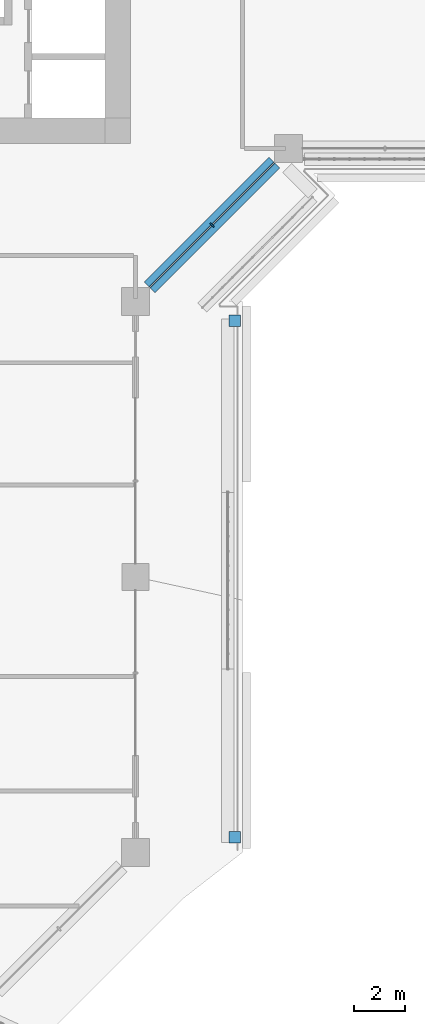
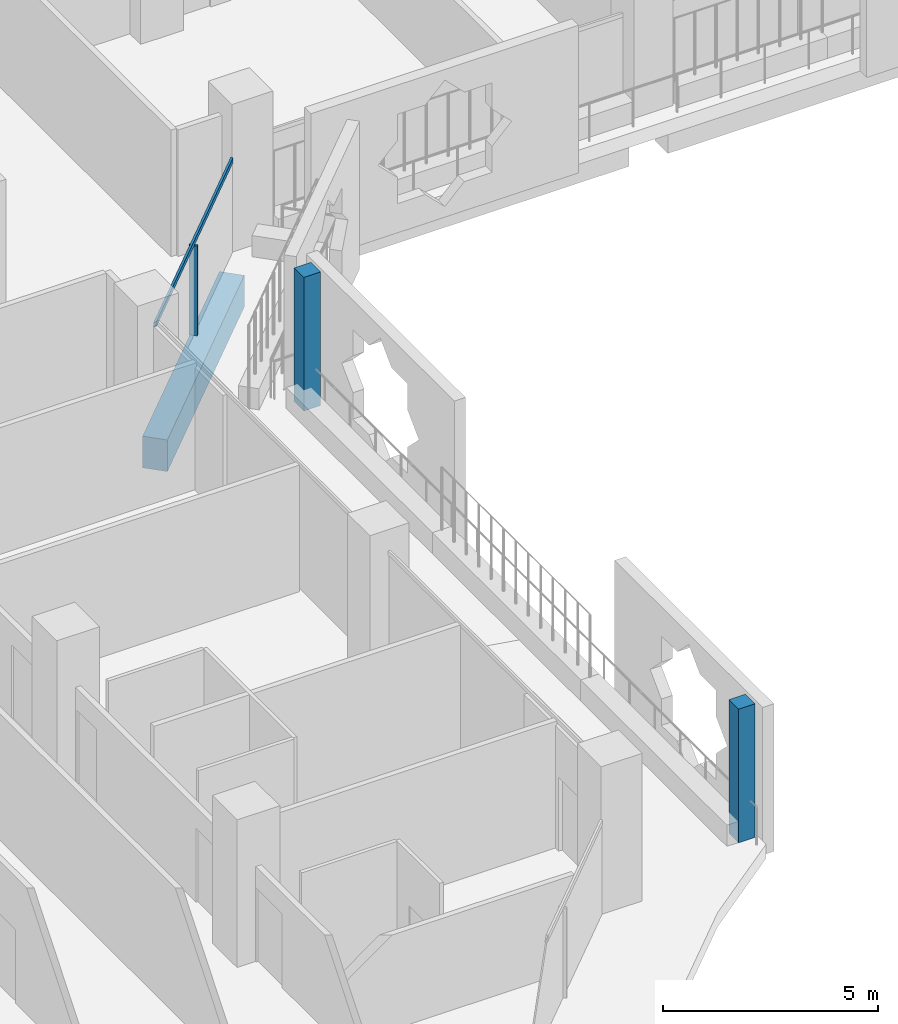
# One storey, part 4 of 25: 4 members, 1 beam, 2 elements without a shape of their own.
"""IFC4 building model written with IfcOpenShell, lengths in metres."""

from ifc_helpers import new_model, si_unit, direction, frame, origin, origin_2d, place, context, subcontext, project, spatial, rectangle, extrude, material, layer, layer_set, material_profile, profile_set, type_object, element, aggregate, save


model = new_model("IFC4")

# Units and contexts
model_context = context("Model", 3, precision=1e-05, world=origin(), true_north=direction((0.0, 1.0)))
body_context = subcontext(model_context, "Body", "Model", "MODEL_VIEW")
ifc_project = project(units=[si_unit("LENGTHUNIT", "METRE"), si_unit("AREAUNIT", "SQUARE_METRE"), si_unit("VOLUMEUNIT", "CUBIC_METRE"), si_unit("PLANEANGLEUNIT", "RADIAN"), si_unit("MASSUNIT", "GRAM", prefix="KILO")], contexts=[model_context])

# Site, building, storey
site_placement = place(None, origin())
site = spatial("IfcSite", under=ifc_project, at=site_placement, CompositionType="ELEMENT")
building_placement = place(site_placement, origin())
building = spatial("IfcBuilding", under=site, at=building_placement, Name="Kawkab Arch Medical Tower", CompositionType="ELEMENT")
storey_placement = place(building_placement, frame((0.0, 0.0, 145.0)))
storey = spatial("IfcBuildingStorey", under=building, at=storey_placement, Name="L33", CompositionType="ELEMENT", Elevation=145.0)

# Curtain wall, members
ifc_material_1 = material(Name="Bronze anodised aluminium curtain wall frame", Category="aluminium")
ifc_layer_1 = layer(ifc_material_1, 0.159912109375)
ifc_layer_set_1 = layer_set([ifc_layer_1], Name="Bronze anodised aluminium curtain wall frame")
curtain_wall_type_1 = type_object("IfcCurtainWallType", Name="CW2 chamfer curtain wall", PredefinedType="NOTDEFINED", material=ifc_layer_set_1)
placement = place(storey_placement, origin())
curtain_wall_1 = element("IfcCurtainWall", 1, at=placement, inside=storey, type_object=curtain_wall_type_1, Name="CW2 Chamfer curtain wall R06", PredefinedType="NOTDEFINED")
ifc_material_2 = material(Name="Bronze anodised aluminium curtain wall frame", Category="aluminium")
ifc_material_profile_1 = material_profile(ifc_material_2, rectangle(XDim=0.199951171875, YDim=0.06005859375, at=origin_2d()), Name="AL 60x200")
ifc_profile_set_1 = profile_set([ifc_material_profile_1], Name="Bronze anodised aluminium curtain wall frame")
member_type_1 = type_object("IfcMemberType", Name="CW2 mullion 60 x 200", PredefinedType="MULLION", material=ifc_profile_set_1)
member_1_placement = place(storey_placement, frame((28.199951171875, -28.199951171875, 0.0), z_axis=(0.0, 0.0, 1.0), x_axis=(-0.707106781187, 0.707106781187, 0.0)))
member_1 = element("IfcMember", 2, at=member_1_placement, type_object=member_type_1, Name="CW2 mullion 1.1", PredefinedType="MULLION", context=body_context, shape_type="SweptSolid", body=[
    extrude(rectangle(XDim=0.199951171875, YDim=0.06005859375, at=origin_2d()), origin(), (0.0, 0.0, 1.0), 2.56005859375),
])
ifc_material_3 = material(Name="Bronze anodised aluminium curtain wall frame", Category="aluminium")
ifc_material_profile_2 = material_profile(ifc_material_3, rectangle(XDim=0.06005859375, YDim=0.139892578125, at=origin_2d()), Name="AL 60x140")
ifc_profile_set_2 = profile_set([ifc_material_profile_2], Name="Bronze anodised aluminium curtain wall frame")
member_type_2 = type_object("IfcMemberType", Name="CW2 transom 140 x 60", PredefinedType="USERDEFINED", material=ifc_profile_set_2)
member_2_placement = place(storey_placement, frame((25.75, -30.64990234375, 2.6298828125), z_axis=(0.707106781187, 0.707106781187, 0.0), x_axis=(-0.707106781187, 0.707106781187, 0.0)))
member_2 = element("IfcMember", 3, at=member_2_placement, type_object=member_type_2, Name="CW2 transom 1", ObjectType="TRANSOM", PredefinedType="USERDEFINED", context=body_context, shape_type="SweptSolid", body=[
    extrude(rectangle(XDim=0.06005859375, YDim=0.139892578125, at=origin_2d()), origin(), (0.0, 0.0, 1.0), 6.929443359375),
])
aggregate(curtain_wall_1, [member_2, member_1])

ifc_material_4 = material(Name="Bronze anodised aluminium climber frame, planted", Category="aluminium")
ifc_layer_2 = layer(ifc_material_4, 0.449951171875)
ifc_layer_set_2 = layer_set([ifc_layer_2], Name="Bronze anodised aluminium climber frame, planted")
curtain_wall_type_2 = type_object("IfcCurtainWallType", Name="Planted climber frame", PredefinedType="NOTDEFINED", material=ifc_layer_set_2)
curtain_wall_2 = element("IfcCurtainWall", 4, at=placement, inside=storey, type_object=curtain_wall_type_2, Name="Planted climber frame L33", PredefinedType="NOTDEFINED")
ifc_material_5 = material(Name="Bronze anodised aluminium climber frame, planted", Category="aluminium")
ifc_material_profile_3 = material_profile(ifc_material_5, rectangle(XDim=0.449951171875, YDim=0.449951171875, at=origin_2d()), Name="Post 450x450")
ifc_profile_set_3 = profile_set([ifc_material_profile_3], Name="Bronze anodised aluminium climber frame, planted")
member_type_3 = type_object("IfcMemberType", Name="Planted climber post 450 x 450", PredefinedType="MULLION", material=ifc_profile_set_3)
member_3_placement = place(storey_placement, frame((29.10009765625, -31.949951171875, 0.0), z_axis=(0.0, 0.0, 1.0), x_axis=(1.0, 0.0, 0.0)))
member_3 = element("IfcMember", 5, at=member_3_placement, type_object=member_type_3, Name="Planted climber post L33.LOG-01-01.5", PredefinedType="MULLION", context=body_context, shape_type="SweptSolid", body=[
    extrude(rectangle(XDim=0.449951171875, YDim=0.449951171875, at=origin_2d()), origin(), (0.0, 0.0, 1.0), 3.800048828125),
])
member_4_placement = place(storey_placement, frame((29.10009765625, -52.202880859375, 0.0), z_axis=(0.0, 0.0, 1.0), x_axis=(1.0, 0.0, 0.0)))
member_4 = element("IfcMember", 6, at=member_4_placement, type_object=member_type_3, Name="Planted climber post L33.LOG-01-01.6", PredefinedType="MULLION", context=body_context, shape_type="SweptSolid", body=[
    extrude(rectangle(XDim=0.449951171875, YDim=0.449951171875, at=origin_2d()), origin(), (0.0, 0.0, 1.0), 3.800048828125),
])
aggregate(curtain_wall_2, [member_3, member_4])

# Beam
ifc_material_6 = material(Name="Concrete C55/67", Category="concrete")
ifc_material_profile_4 = material_profile(ifc_material_6, rectangle(XDim=0.60009765625, YDim=0.89990234375, at=origin_2d()), Name="RC 600x900")
ifc_profile_set_4 = profile_set([ifc_material_profile_4], Name="Concrete C55/67")
beam_type = type_object("IfcBeamType", Name="RC 600x900 beam C55/67", PredefinedType="BEAM", material=ifc_profile_set_4)
beam_placement = place(storey_placement, frame((30.64990234375, -25.75, -1.050048828125), z_axis=(-0.707106781187, -0.707106781187, 0.0), x_axis=(0.707106781187, -0.707106781187, 0.0)))
element("IfcBeam", 7, at=beam_placement, inside=storey, type_object=beam_type, Name="Overhang edge beam L33-06", PredefinedType="BEAM", context=body_context, shape_type="SweptSolid", body=[
    extrude(rectangle(XDim=0.60009765625, YDim=0.89990234375, at=origin_2d()), origin(), (0.0, 0.0, 1.0), 6.929443359375),
])

save(model, "model.ifc")
